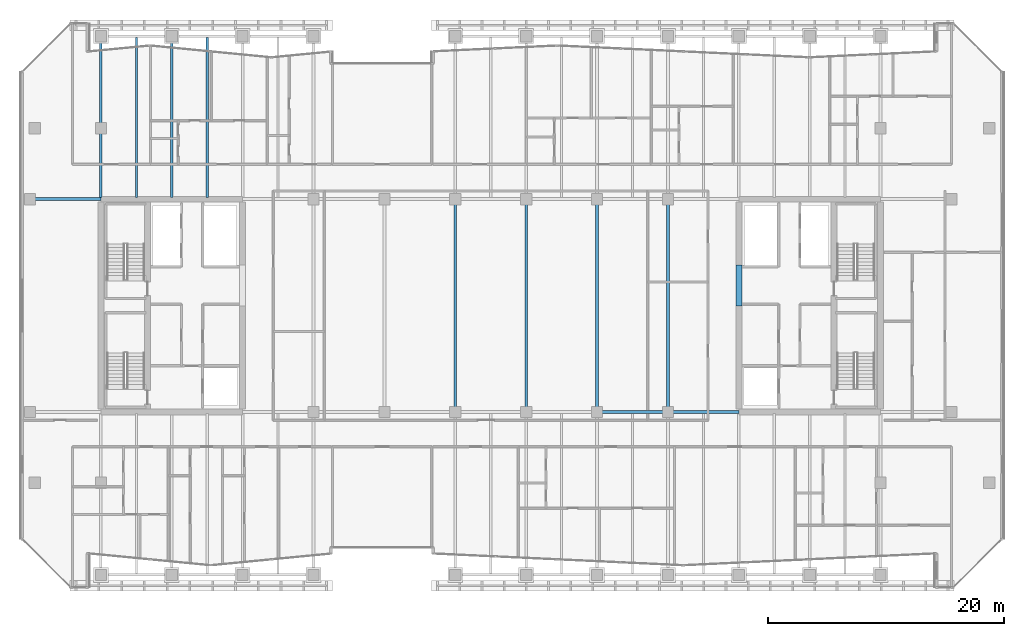
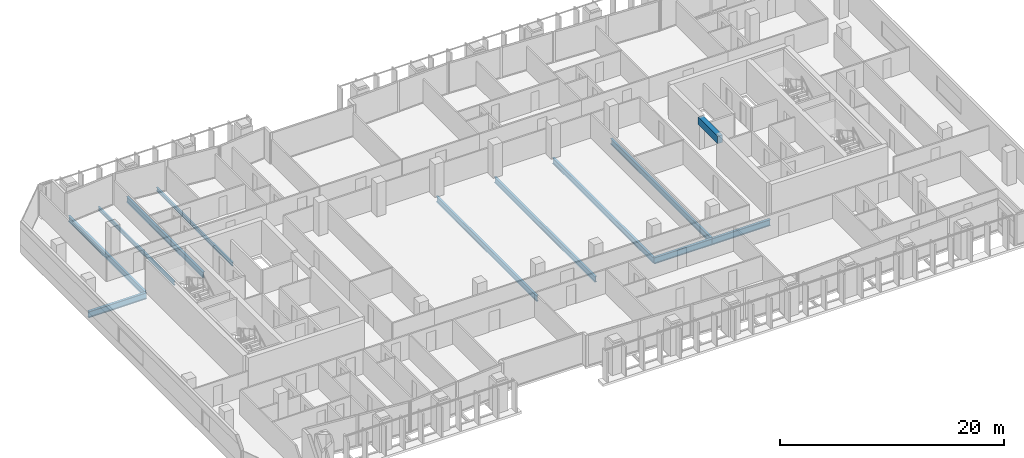
# One storey, part 11 of 39: 12 beams.
"""IFC4 building model written with IfcOpenShell, lengths in metres."""

from ifc_helpers import new_model, si_unit, direction, frame, origin, origin_2d, place, context, subcontext, project, spatial, rectangle, i_section, extrude, material, material_profile, profile_set, type_object, element, save


model = new_model("IFC4")

# Units and contexts
model_context = context("Model", 3, precision=1e-05, world=origin(), true_north=direction((0.0, 1.0)))
body_context = subcontext(model_context, "Body", "Model", "MODEL_VIEW")
ifc_project = project(units=[si_unit("LENGTHUNIT", "METRE"), si_unit("AREAUNIT", "SQUARE_METRE"), si_unit("VOLUMEUNIT", "CUBIC_METRE"), si_unit("PLANEANGLEUNIT", "RADIAN"), si_unit("MASSUNIT", "GRAM", prefix="KILO")], contexts=[model_context])

# Site, building, storey
site_placement = place(None, origin())
site = spatial("IfcSite", under=ifc_project, at=site_placement, CompositionType="ELEMENT")
building_placement = place(site_placement, origin())
building = spatial("IfcBuilding", under=site, at=building_placement, Name="Tanjung Sevakor Pilgrim Tower", CompositionType="ELEMENT")
storey_placement = place(building_placement, frame((0.0, 0.0, 112.199951171875)))
storey = spatial("IfcBuildingStorey", under=building, at=storey_placement, Name="L31", CompositionType="ELEMENT", Elevation=112.199951171875)

# Beams
ifc_material_1 = material(Name="Steel S355J2", Category="steel")
ifc_material_profile_1 = material_profile(ifc_material_1, i_section(OverallWidth=0.25439453125, OverallDepth=0.6875, WebThickness=0.01318359375, FlangeThickness=0.02099609375, FilletRadius=0.01513671875, at=origin_2d()))
ifc_profile_set_1 = profile_set([ifc_material_profile_1], Name="Steel S355J2")
beam_type_1 = type_object("IfcBeamType", Name="BM-B-G2-UB_686x254x152", PredefinedType="BEAM", material=ifc_profile_set_1)
for number, where, z_axis, x_axis, name in (
    (1, (66.0, 24.60009765625, -0.563720703125), (1.0, 0.0, 0.0), (0.0, 1.0, 0.0), "L31 Primary Floor Girder MAIN Y246-07"),
    (2, (72.0, 24.60009765625, -0.563720703125), (1.0, 0.0, 0.0), (0.0, 1.0, 0.0), "L31 Primary Floor Girder MAIN Y246-08"),
    (3, (18.0, 42.60009765625, -0.563720703125), (1.0, 0.0, 0.0), (0.0, 1.0, 0.0), "L31 Primary Floor Girder MAIN Y426-01"),
):
    element("IfcBeam", number, at=place(storey_placement, frame(where, z_axis=z_axis, x_axis=x_axis)), inside=storey, type_object=beam_type_1, Name=name, PredefinedType="BEAM", context=body_context, shape_type="SweptSolid", body=[
        extrude(i_section(OverallWidth=0.25439453125, OverallDepth=0.6875, WebThickness=0.01318359375, FlangeThickness=0.02099609375, FilletRadius=0.01513671875, at=origin_2d()), origin(), (0.0, 0.0, 1.0), 6.0),
    ])
ifc_material_2 = material(Name="Steel S355J2", Category="steel")
ifc_material_profile_2 = material_profile(ifc_material_2, i_section(OverallWidth=0.230224609375, OverallDepth=0.6171875, WebThickness=0.01318359375, FlangeThickness=0.022216796875, FilletRadius=0.0126953125, at=origin_2d()))
ifc_profile_set_2 = profile_set([ifc_material_profile_2], Name="Steel S355J2")
beam_type_2 = type_object("IfcBeamType", Name="BM-B-G3-UB_610x229x140", PredefinedType="BEAM", material=ifc_profile_set_2)
for number, where, z_axis, x_axis, name in (
    (4, (24.0, 42.727294921875, -0.528564453125), (0.0, 1.0, 0.0), (-1.0, 0.0, 0.0), "L31 MAIN Girder 002"),
    (5, (30.0, 42.727294921875, -0.528564453125), (0.0, 1.0, 0.0), (-1.0, 0.0, 0.0), "L31 MAIN Girder 006"),
):
    element("IfcBeam", number, at=place(storey_placement, frame(where, z_axis=z_axis, x_axis=x_axis)), inside=storey, type_object=beam_type_2, Name=name, PredefinedType="BEAM", context=body_context, shape_type="SweptSolid", body=[
        extrude(i_section(OverallWidth=0.230224609375, OverallDepth=0.6171875, WebThickness=0.01318359375, FlangeThickness=0.022216796875, FilletRadius=0.0126953125, at=origin_2d()), origin(), (0.0, 0.0, 1.0), 13.672607421875),
    ])
for number, where, z_axis, x_axis, name in (
    (6, (54.0, 24.60009765625, -0.528564453125), (0.0, 1.0, 0.0), (-1.0, 0.0, 0.0), "L31 MAIN Girder 018"),
    (7, (60.0, 24.60009765625, -0.528564453125), (0.0, 1.0, 0.0), (-1.0, 0.0, 0.0), "L31 MAIN Girder 023"),
    (8, (66.0, 24.60009765625, -0.528564453125), (0.0, 1.0, 0.0), (-1.0, 0.0, 0.0), "L31 MAIN Girder 028"),
    (9, (72.0, 24.60009765625, -0.528564453125), (0.0, 1.0, 0.0), (-1.0, 0.0, 0.0), "L31 MAIN Girder 033"),
):
    element("IfcBeam", number, at=place(storey_placement, frame(where, z_axis=z_axis, x_axis=x_axis)), inside=storey, type_object=beam_type_2, Name=name, PredefinedType="BEAM", context=body_context, shape_type="SweptSolid", body=[
        extrude(i_section(OverallWidth=0.230224609375, OverallDepth=0.6171875, WebThickness=0.01318359375, FlangeThickness=0.022216796875, FilletRadius=0.0126953125, at=origin_2d()), origin(), (0.0, 0.0, 1.0), 18.0),
    ])
ifc_material_3 = material(Name="Steel S355J2", Category="steel")
ifc_material_profile_3 = material_profile(ifc_material_3, i_section(OverallWidth=0.1787109375, OverallDepth=0.409423828125, WebThickness=0.0087890625, FlangeThickness=0.014404296875, FilletRadius=0.01025390625, at=origin_2d()))
ifc_profile_set_3 = profile_set([ifc_material_profile_3], Name="Steel S355J2")
beam_type_3 = type_object("IfcBeamType", Name="BM-B-J3-UB_406x178x67", PredefinedType="JOIST", material=ifc_profile_set_3)
for number, where, z_axis, x_axis, name in (
    (10, (27.0, 42.727294921875, -0.424560546875), (0.0, 1.0, 0.0), (-1.0, 0.0, 0.0), "L31 MAIN Joist 004"),
    (11, (33.0, 42.727294921875, -0.424560546875), (0.0, 1.0, 0.0), (-1.0, 0.0, 0.0), "L31 MAIN Joist 008"),
):
    element("IfcBeam", number, at=place(storey_placement, frame(where, z_axis=z_axis, x_axis=x_axis)), inside=storey, type_object=beam_type_3, Name=name, PredefinedType="JOIST", context=body_context, shape_type="SweptSolid", body=[
        extrude(i_section(OverallWidth=0.1787109375, OverallDepth=0.409423828125, WebThickness=0.0087890625, FlangeThickness=0.014404296875, FilletRadius=0.01025390625, at=origin_2d()), origin(), (0.0, 0.0, 1.0), 13.57275390625),
    ])
ifc_material_4 = material(Name="Concrete C60/75", Category="concrete")
ifc_material_profile_4 = material_profile(ifc_material_4, rectangle(XDim=0.5, YDim=0.800048828125, at=origin_2d()))
ifc_profile_set_4 = profile_set([ifc_material_profile_4], Name="Concrete C60/75")
beam_type_4 = type_object("IfcBeamType", Name="BM-B-LN2-RC-BM_500x800", PredefinedType="LINTEL", material=ifc_profile_set_4)
beam_placement = place(storey_placement, frame((78.0, 33.550048828125, 3.010009765625), z_axis=(0.0, 1.0, 0.0), x_axis=(-1.0, 0.0, 0.0)))
element("IfcBeam", 12, at=beam_placement, inside=storey, type_object=beam_type_4, Name="L31 E Core Coupling Lintel", PredefinedType="LINTEL", context=body_context, shape_type="SweptSolid", body=[
    extrude(rectangle(XDim=0.5, YDim=0.800048828125, at=origin_2d()), origin(), (0.0, 0.0, 1.0), 3.5),
])

save(model, "model.ifc")
